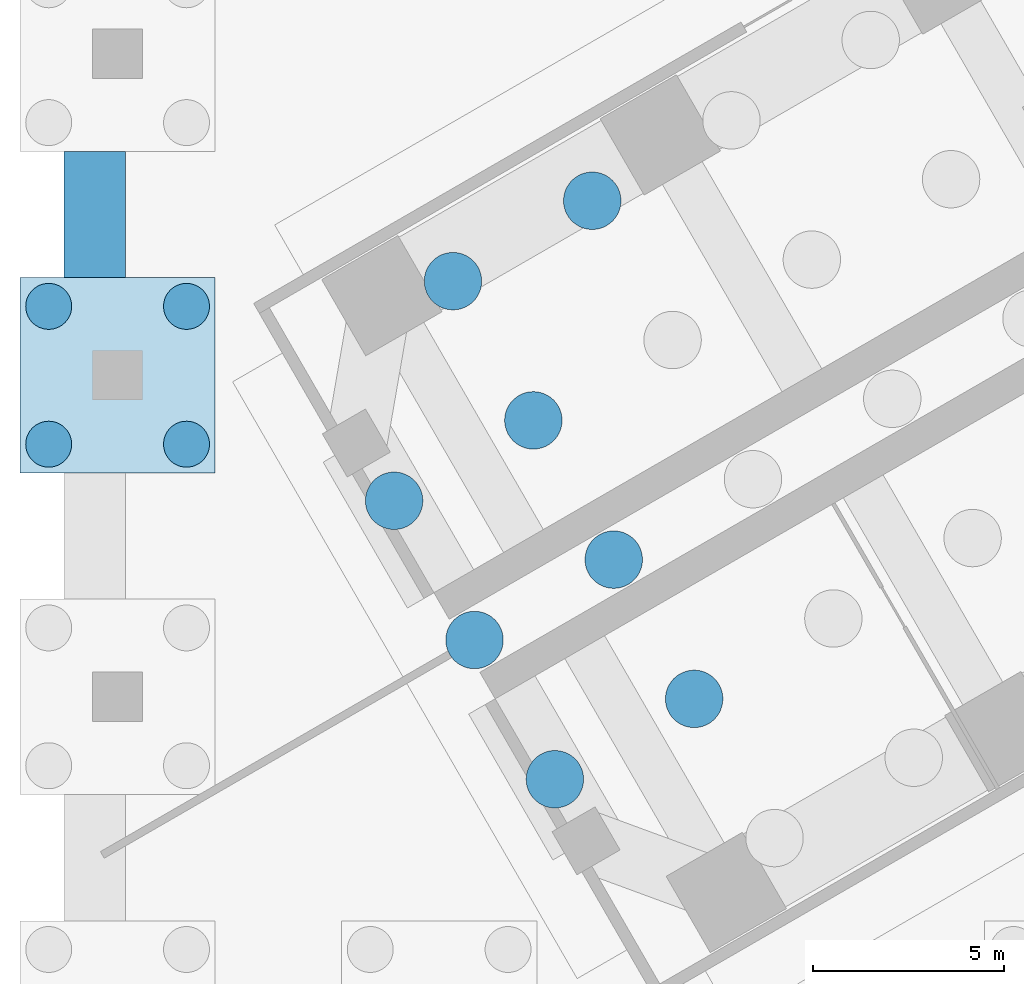
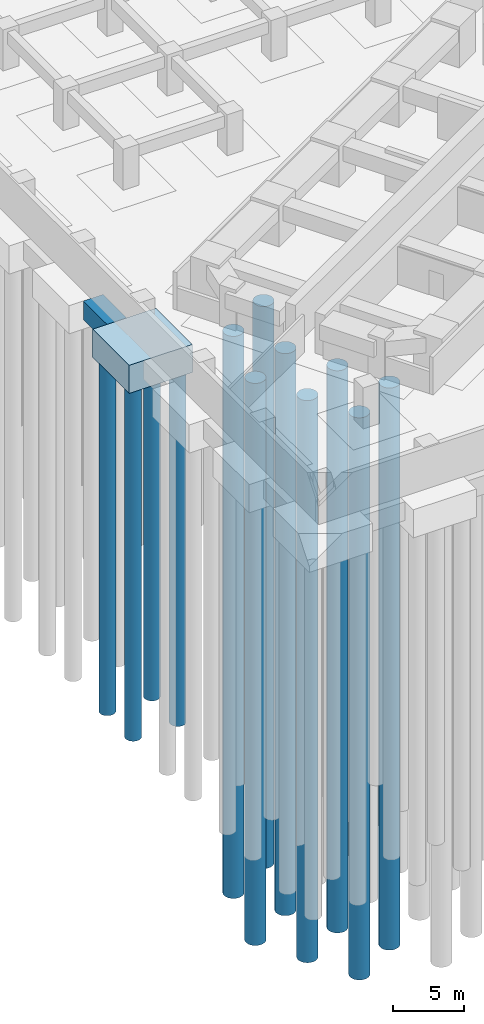
# One storey, part 4 of 73: 12 piles, 2 footings.
"""IFC4 building model written with IfcOpenShell, lengths in metres."""

from ifc_helpers import new_model, si_unit, direction, frame, origin, origin_2d, place, context, subcontext, project, spatial, polyline, circle, outline, extrude, material, material_profile, profile_set, type_object, element, save


model = new_model("IFC4")

# Units and contexts
model_context = context("Model", 3, precision=1e-05, world=origin(), true_north=direction((0.0, 1.0)))
body_context = subcontext(model_context, "Body", "Model", "MODEL_VIEW")
ifc_project = project(units=[si_unit("LENGTHUNIT", "METRE"), si_unit("AREAUNIT", "SQUARE_METRE"), si_unit("VOLUMEUNIT", "CUBIC_METRE"), si_unit("PLANEANGLEUNIT", "RADIAN"), si_unit("MASSUNIT", "GRAM", prefix="KILO")], contexts=[model_context])

# Site, building, storey
site_placement = place(None, origin())
site = spatial("IfcSite", under=ifc_project, at=site_placement, CompositionType="ELEMENT")
building_placement = place(site_placement, origin())
building = spatial("IfcBuilding", under=site, at=building_placement, Name="Impinga Residences", CompositionType="ELEMENT")
storey_placement = place(building_placement, frame((0.0, 0.0, -10.5)))
storey = spatial("IfcBuildingStorey", under=building, at=storey_placement, Name="B3", CompositionType="ELEMENT", Elevation=-10.5)

# Piles
ifc_material_1 = material(Name="Concrete C35/45", Category="concrete")
ifc_material_profile_1 = material_profile(ifc_material_1, circle(Radius=0.75, at=origin_2d()), Name="D1500")
ifc_profile_set_1 = profile_set([ifc_material_profile_1], Name="Concrete C35/45")
pile_type_1 = type_object("IfcPileType", Name="BP1 bored pile D1500", PredefinedType="BORED", material=ifc_profile_set_1)
pile_1_placement = place(storey_placement, frame((-38.976806640625, -27.35302734375, -4.0), z_axis=(0.0, 0.0, -1.0), x_axis=(1.0, 0.0, 0.0)))
element("IfcPile", 1, at=pile_1_placement, inside=storey, type_object=pile_type_1, Name="Raft pile BP1-003", PredefinedType="BORED", context=body_context, shape_type="SweptSolid", body=[
    extrude(outline(polyline([(0.75, 0.0), (0.746337890625, 0.073486328125), (0.735595703125, 0.146240234375), (0.7177734375, 0.2177734375), (0.69287109375, 0.287109375), (0.661376953125, 0.353515625), (0.62353515625, 0.416748046875), (0.579833984375, 0.475830078125), (0.5302734375, 0.5302734375), (0.475830078125, 0.579833984375), (0.416748046875, 0.62353515625), (0.353515625, 0.661376953125), (0.287109375, 0.69287109375), (0.2177734375, 0.7177734375), (0.146240234375, 0.735595703125), (0.073486328125, 0.746337890625), (0.0, 0.75), (-0.073486328125, 0.746337890625), (-0.146240234375, 0.735595703125), (-0.2177734375, 0.7177734375), (-0.287109375, 0.69287109375), (-0.353515625, 0.661376953125), (-0.416748046875, 0.62353515625), (-0.475830078125, 0.579833984375), (-0.5302734375, 0.5302734375), (-0.579833984375, 0.475830078125), (-0.62353515625, 0.416748046875), (-0.661376953125, 0.353515625), (-0.69287109375, 0.287109375), (-0.7177734375, 0.2177734375), (-0.735595703125, 0.146240234375), (-0.746337890625, 0.073486328125), (-0.75, 0.0), (-0.746337890625, -0.073486328125), (-0.735595703125, -0.146240234375), (-0.7177734375, -0.2177734375), (-0.69287109375, -0.287109375), (-0.661376953125, -0.353515625), (-0.62353515625, -0.416748046875), (-0.579833984375, -0.475830078125), (-0.5302734375, -0.5302734375), (-0.475830078125, -0.579833984375), (-0.416748046875, -0.62353515625), (-0.353515625, -0.661376953125), (-0.287109375, -0.69287109375), (-0.2177734375, -0.7177734375), (-0.146240234375, -0.735595703125), (-0.073486328125, -0.746337890625), (0.0, -0.75), (0.073486328125, -0.746337890625), (0.146240234375, -0.735595703125), (0.2177734375, -0.7177734375), (0.287109375, -0.69287109375), (0.353515625, -0.661376953125), (0.416748046875, -0.62353515625), (0.475830078125, -0.579833984375), (0.5302734375, -0.5302734375), (0.579833984375, -0.475830078125), (0.62353515625, -0.416748046875), (0.661376953125, -0.353515625), (0.69287109375, -0.287109375), (0.7177734375, -0.2177734375), (0.735595703125, -0.146240234375), (0.746337890625, -0.073486328125), (0.75, 0.0)])), origin(), (0.0, 0.0, 1.0), 48.0),
])
pile_2_placement = place(storey_placement, frame((-35.339599609375, -25.253173828125, -4.0), z_axis=(0.0, 0.0, -1.0), x_axis=(1.0, 0.0, 0.0)))
element("IfcPile", 2, at=pile_2_placement, inside=storey, type_object=pile_type_1, Name="Raft pile BP1-007", PredefinedType="BORED", context=body_context, shape_type="SweptSolid", body=[
    extrude(outline(polyline([(0.75, 0.0), (0.746337890625, 0.073486328125), (0.735595703125, 0.146240234375), (0.7177734375, 0.2177734375), (0.69287109375, 0.287109375), (0.661376953125, 0.353515625), (0.62353515625, 0.416748046875), (0.579833984375, 0.475830078125), (0.5302734375, 0.5302734375), (0.475830078125, 0.579833984375), (0.416748046875, 0.62353515625), (0.353515625, 0.661376953125), (0.287109375, 0.69287109375), (0.2177734375, 0.7177734375), (0.146240234375, 0.735595703125), (0.073486328125, 0.746337890625), (0.0, 0.75), (-0.073486328125, 0.746337890625), (-0.146240234375, 0.735595703125), (-0.2177734375, 0.7177734375), (-0.287109375, 0.69287109375), (-0.353515625, 0.661376953125), (-0.416748046875, 0.62353515625), (-0.475830078125, 0.579833984375), (-0.5302734375, 0.5302734375), (-0.579833984375, 0.475830078125), (-0.62353515625, 0.416748046875), (-0.661376953125, 0.353515625), (-0.69287109375, 0.287109375), (-0.7177734375, 0.2177734375), (-0.735595703125, 0.146240234375), (-0.746337890625, 0.073486328125), (-0.75, 0.0), (-0.746337890625, -0.073486328125), (-0.735595703125, -0.146240234375), (-0.7177734375, -0.2177734375), (-0.69287109375, -0.287109375), (-0.661376953125, -0.353515625), (-0.62353515625, -0.416748046875), (-0.579833984375, -0.475830078125), (-0.5302734375, -0.5302734375), (-0.475830078125, -0.579833984375), (-0.416748046875, -0.62353515625), (-0.353515625, -0.661376953125), (-0.287109375, -0.69287109375), (-0.2177734375, -0.7177734375), (-0.146240234375, -0.735595703125), (-0.073486328125, -0.746337890625), (0.0, -0.75), (0.073486328125, -0.746337890625), (0.146240234375, -0.735595703125), (0.2177734375, -0.7177734375), (0.287109375, -0.69287109375), (0.353515625, -0.661376953125), (0.416748046875, -0.62353515625), (0.475830078125, -0.579833984375), (0.5302734375, -0.5302734375), (0.579833984375, -0.475830078125), (0.62353515625, -0.416748046875), (0.661376953125, -0.353515625), (0.69287109375, -0.287109375), (0.7177734375, -0.2177734375), (0.735595703125, -0.146240234375), (0.746337890625, -0.073486328125), (0.75, 0.0)])), origin(), (0.0, 0.0, 1.0), 48.0),
])
pile_3_placement = place(storey_placement, frame((-41.076904296875, -23.7158203125, -4.0), z_axis=(0.0, 0.0, -1.0), x_axis=(1.0, 0.0, 0.0)))
element("IfcPile", 3, at=pile_3_placement, inside=storey, type_object=pile_type_1, Name="Raft pile BP1-011", PredefinedType="BORED", context=body_context, shape_type="SweptSolid", body=[
    extrude(outline(polyline([(0.75, 0.0), (0.746337890625, 0.073486328125), (0.735595703125, 0.146240234375), (0.7177734375, 0.2177734375), (0.69287109375, 0.287109375), (0.661376953125, 0.353515625), (0.62353515625, 0.416748046875), (0.579833984375, 0.475830078125), (0.5302734375, 0.5302734375), (0.475830078125, 0.579833984375), (0.416748046875, 0.62353515625), (0.353515625, 0.661376953125), (0.287109375, 0.69287109375), (0.2177734375, 0.7177734375), (0.146240234375, 0.735595703125), (0.073486328125, 0.746337890625), (0.0, 0.75), (-0.073486328125, 0.746337890625), (-0.146240234375, 0.735595703125), (-0.2177734375, 0.7177734375), (-0.287109375, 0.69287109375), (-0.353515625, 0.661376953125), (-0.416748046875, 0.62353515625), (-0.475830078125, 0.579833984375), (-0.5302734375, 0.5302734375), (-0.579833984375, 0.475830078125), (-0.62353515625, 0.416748046875), (-0.661376953125, 0.353515625), (-0.69287109375, 0.287109375), (-0.7177734375, 0.2177734375), (-0.735595703125, 0.146240234375), (-0.746337890625, 0.073486328125), (-0.75, 0.0), (-0.746337890625, -0.073486328125), (-0.735595703125, -0.146240234375), (-0.7177734375, -0.2177734375), (-0.69287109375, -0.287109375), (-0.661376953125, -0.353515625), (-0.62353515625, -0.416748046875), (-0.579833984375, -0.475830078125), (-0.5302734375, -0.5302734375), (-0.475830078125, -0.579833984375), (-0.416748046875, -0.62353515625), (-0.353515625, -0.661376953125), (-0.287109375, -0.69287109375), (-0.2177734375, -0.7177734375), (-0.146240234375, -0.735595703125), (-0.073486328125, -0.746337890625), (0.0, -0.75), (0.073486328125, -0.746337890625), (0.146240234375, -0.735595703125), (0.2177734375, -0.7177734375), (0.287109375, -0.69287109375), (0.353515625, -0.661376953125), (0.416748046875, -0.62353515625), (0.475830078125, -0.579833984375), (0.5302734375, -0.5302734375), (0.579833984375, -0.475830078125), (0.62353515625, -0.416748046875), (0.661376953125, -0.353515625), (0.69287109375, -0.287109375), (0.7177734375, -0.2177734375), (0.735595703125, -0.146240234375), (0.746337890625, -0.073486328125), (0.75, 0.0)])), origin(), (0.0, 0.0, 1.0), 48.0),
])
pile_4_placement = place(storey_placement, frame((-37.439697265625, -21.61572265625, -4.0), z_axis=(0.0, 0.0, -1.0), x_axis=(1.0, 0.0, 0.0)))
element("IfcPile", 4, at=pile_4_placement, inside=storey, type_object=pile_type_1, Name="Raft pile BP1-017", PredefinedType="BORED", context=body_context, shape_type="SweptSolid", body=[
    extrude(outline(polyline([(0.75, 0.0), (0.746337890625, 0.073486328125), (0.735595703125, 0.146240234375), (0.7177734375, 0.2177734375), (0.69287109375, 0.287109375), (0.661376953125, 0.353515625), (0.62353515625, 0.416748046875), (0.579833984375, 0.475830078125), (0.5302734375, 0.5302734375), (0.475830078125, 0.579833984375), (0.416748046875, 0.62353515625), (0.353515625, 0.661376953125), (0.287109375, 0.69287109375), (0.2177734375, 0.7177734375), (0.146240234375, 0.735595703125), (0.073486328125, 0.746337890625), (0.0, 0.75), (-0.073486328125, 0.746337890625), (-0.146240234375, 0.735595703125), (-0.2177734375, 0.7177734375), (-0.287109375, 0.69287109375), (-0.353515625, 0.661376953125), (-0.416748046875, 0.62353515625), (-0.475830078125, 0.579833984375), (-0.5302734375, 0.5302734375), (-0.579833984375, 0.475830078125), (-0.62353515625, 0.416748046875), (-0.661376953125, 0.353515625), (-0.69287109375, 0.287109375), (-0.7177734375, 0.2177734375), (-0.735595703125, 0.146240234375), (-0.746337890625, 0.073486328125), (-0.75, 0.0), (-0.746337890625, -0.073486328125), (-0.735595703125, -0.146240234375), (-0.7177734375, -0.2177734375), (-0.69287109375, -0.287109375), (-0.661376953125, -0.353515625), (-0.62353515625, -0.416748046875), (-0.579833984375, -0.475830078125), (-0.5302734375, -0.5302734375), (-0.475830078125, -0.579833984375), (-0.416748046875, -0.62353515625), (-0.353515625, -0.661376953125), (-0.287109375, -0.69287109375), (-0.2177734375, -0.7177734375), (-0.146240234375, -0.735595703125), (-0.073486328125, -0.746337890625), (0.0, -0.75), (0.073486328125, -0.746337890625), (0.146240234375, -0.735595703125), (0.2177734375, -0.7177734375), (0.287109375, -0.69287109375), (0.353515625, -0.661376953125), (0.416748046875, -0.62353515625), (0.475830078125, -0.579833984375), (0.5302734375, -0.5302734375), (0.579833984375, -0.475830078125), (0.62353515625, -0.416748046875), (0.661376953125, -0.353515625), (0.69287109375, -0.287109375), (0.7177734375, -0.2177734375), (0.735595703125, -0.146240234375), (0.746337890625, -0.073486328125), (0.75, 0.0)])), origin(), (0.0, 0.0, 1.0), 48.0),
])
pile_5_placement = place(storey_placement, frame((-43.177001953125, -20.078369140625, -4.0), z_axis=(0.0, 0.0, -1.0), x_axis=(1.0, 0.0, 0.0)))
element("IfcPile", 5, at=pile_5_placement, inside=storey, type_object=pile_type_1, Name="Raft pile BP1-023", PredefinedType="BORED", context=body_context, shape_type="SweptSolid", body=[
    extrude(outline(polyline([(0.75, 0.0), (0.746337890625, 0.073486328125), (0.735595703125, 0.146240234375), (0.7177734375, 0.2177734375), (0.69287109375, 0.287109375), (0.661376953125, 0.353515625), (0.62353515625, 0.416748046875), (0.579833984375, 0.475830078125), (0.5302734375, 0.5302734375), (0.475830078125, 0.579833984375), (0.416748046875, 0.62353515625), (0.353515625, 0.661376953125), (0.287109375, 0.69287109375), (0.2177734375, 0.7177734375), (0.146240234375, 0.735595703125), (0.073486328125, 0.746337890625), (0.0, 0.75), (-0.073486328125, 0.746337890625), (-0.146240234375, 0.735595703125), (-0.2177734375, 0.7177734375), (-0.287109375, 0.69287109375), (-0.353515625, 0.661376953125), (-0.416748046875, 0.62353515625), (-0.475830078125, 0.579833984375), (-0.5302734375, 0.5302734375), (-0.579833984375, 0.475830078125), (-0.62353515625, 0.416748046875), (-0.661376953125, 0.353515625), (-0.69287109375, 0.287109375), (-0.7177734375, 0.2177734375), (-0.735595703125, 0.146240234375), (-0.746337890625, 0.073486328125), (-0.75, 0.0), (-0.746337890625, -0.073486328125), (-0.735595703125, -0.146240234375), (-0.7177734375, -0.2177734375), (-0.69287109375, -0.287109375), (-0.661376953125, -0.353515625), (-0.62353515625, -0.416748046875), (-0.579833984375, -0.475830078125), (-0.5302734375, -0.5302734375), (-0.475830078125, -0.579833984375), (-0.416748046875, -0.62353515625), (-0.353515625, -0.661376953125), (-0.287109375, -0.69287109375), (-0.2177734375, -0.7177734375), (-0.146240234375, -0.735595703125), (-0.073486328125, -0.746337890625), (0.0, -0.75), (0.073486328125, -0.746337890625), (0.146240234375, -0.735595703125), (0.2177734375, -0.7177734375), (0.287109375, -0.69287109375), (0.353515625, -0.661376953125), (0.416748046875, -0.62353515625), (0.475830078125, -0.579833984375), (0.5302734375, -0.5302734375), (0.579833984375, -0.475830078125), (0.62353515625, -0.416748046875), (0.661376953125, -0.353515625), (0.69287109375, -0.287109375), (0.7177734375, -0.2177734375), (0.735595703125, -0.146240234375), (0.746337890625, -0.073486328125), (0.75, 0.0)])), origin(), (0.0, 0.0, 1.0), 48.0),
])
pile_6_placement = place(storey_placement, frame((-39.53955078125, -17.978515625, -4.0), z_axis=(0.0, 0.0, -1.0), x_axis=(1.0, 0.0, 0.0)))
element("IfcPile", 6, at=pile_6_placement, inside=storey, type_object=pile_type_1, Name="Raft pile BP1-031", PredefinedType="BORED", context=body_context, shape_type="SweptSolid", body=[
    extrude(outline(polyline([(0.75, 0.0), (0.746337890625, 0.073486328125), (0.735595703125, 0.146240234375), (0.7177734375, 0.2177734375), (0.69287109375, 0.287109375), (0.661376953125, 0.353515625), (0.62353515625, 0.416748046875), (0.579833984375, 0.475830078125), (0.5302734375, 0.5302734375), (0.475830078125, 0.579833984375), (0.416748046875, 0.62353515625), (0.353515625, 0.661376953125), (0.287109375, 0.69287109375), (0.2177734375, 0.7177734375), (0.146240234375, 0.735595703125), (0.073486328125, 0.746337890625), (0.0, 0.75), (-0.073486328125, 0.746337890625), (-0.146240234375, 0.735595703125), (-0.2177734375, 0.7177734375), (-0.287109375, 0.69287109375), (-0.353515625, 0.661376953125), (-0.416748046875, 0.62353515625), (-0.475830078125, 0.579833984375), (-0.5302734375, 0.5302734375), (-0.579833984375, 0.475830078125), (-0.62353515625, 0.416748046875), (-0.661376953125, 0.353515625), (-0.69287109375, 0.287109375), (-0.7177734375, 0.2177734375), (-0.735595703125, 0.146240234375), (-0.746337890625, 0.073486328125), (-0.75, 0.0), (-0.746337890625, -0.073486328125), (-0.735595703125, -0.146240234375), (-0.7177734375, -0.2177734375), (-0.69287109375, -0.287109375), (-0.661376953125, -0.353515625), (-0.62353515625, -0.416748046875), (-0.579833984375, -0.475830078125), (-0.5302734375, -0.5302734375), (-0.475830078125, -0.579833984375), (-0.416748046875, -0.62353515625), (-0.353515625, -0.661376953125), (-0.287109375, -0.69287109375), (-0.2177734375, -0.7177734375), (-0.146240234375, -0.735595703125), (-0.073486328125, -0.746337890625), (0.0, -0.75), (0.073486328125, -0.746337890625), (0.146240234375, -0.735595703125), (0.2177734375, -0.7177734375), (0.287109375, -0.69287109375), (0.353515625, -0.661376953125), (0.416748046875, -0.62353515625), (0.475830078125, -0.579833984375), (0.5302734375, -0.5302734375), (0.579833984375, -0.475830078125), (0.62353515625, -0.416748046875), (0.661376953125, -0.353515625), (0.69287109375, -0.287109375), (0.7177734375, -0.2177734375), (0.735595703125, -0.146240234375), (0.746337890625, -0.073486328125), (0.75, 0.0)])), origin(), (0.0, 0.0, 1.0), 48.0),
])
pile_7_placement = place(storey_placement, frame((-41.6396484375, -14.341064453125, -4.0), z_axis=(0.0, 0.0, -1.0), x_axis=(1.0, 0.0, 0.0)))
element("IfcPile", 7, at=pile_7_placement, inside=storey, type_object=pile_type_1, Name="Raft pile BP1-045", PredefinedType="BORED", context=body_context, shape_type="SweptSolid", body=[
    extrude(outline(polyline([(0.75, 0.0), (0.746337890625, 0.073486328125), (0.735595703125, 0.146240234375), (0.7177734375, 0.2177734375), (0.69287109375, 0.287109375), (0.661376953125, 0.353515625), (0.62353515625, 0.416748046875), (0.579833984375, 0.475830078125), (0.5302734375, 0.5302734375), (0.475830078125, 0.579833984375), (0.416748046875, 0.62353515625), (0.353515625, 0.661376953125), (0.287109375, 0.69287109375), (0.2177734375, 0.7177734375), (0.146240234375, 0.735595703125), (0.073486328125, 0.746337890625), (0.0, 0.75), (-0.073486328125, 0.746337890625), (-0.146240234375, 0.735595703125), (-0.2177734375, 0.7177734375), (-0.287109375, 0.69287109375), (-0.353515625, 0.661376953125), (-0.416748046875, 0.62353515625), (-0.475830078125, 0.579833984375), (-0.5302734375, 0.5302734375), (-0.579833984375, 0.475830078125), (-0.62353515625, 0.416748046875), (-0.661376953125, 0.353515625), (-0.69287109375, 0.287109375), (-0.7177734375, 0.2177734375), (-0.735595703125, 0.146240234375), (-0.746337890625, 0.073486328125), (-0.75, 0.0), (-0.746337890625, -0.073486328125), (-0.735595703125, -0.146240234375), (-0.7177734375, -0.2177734375), (-0.69287109375, -0.287109375), (-0.661376953125, -0.353515625), (-0.62353515625, -0.416748046875), (-0.579833984375, -0.475830078125), (-0.5302734375, -0.5302734375), (-0.475830078125, -0.579833984375), (-0.416748046875, -0.62353515625), (-0.353515625, -0.661376953125), (-0.287109375, -0.69287109375), (-0.2177734375, -0.7177734375), (-0.146240234375, -0.735595703125), (-0.073486328125, -0.746337890625), (0.0, -0.75), (0.073486328125, -0.746337890625), (0.146240234375, -0.735595703125), (0.2177734375, -0.7177734375), (0.287109375, -0.69287109375), (0.353515625, -0.661376953125), (0.416748046875, -0.62353515625), (0.475830078125, -0.579833984375), (0.5302734375, -0.5302734375), (0.579833984375, -0.475830078125), (0.62353515625, -0.416748046875), (0.661376953125, -0.353515625), (0.69287109375, -0.287109375), (0.7177734375, -0.2177734375), (0.735595703125, -0.146240234375), (0.746337890625, -0.073486328125), (0.75, 0.0)])), origin(), (0.0, 0.0, 1.0), 48.0),
])
pile_8_placement = place(storey_placement, frame((-38.002197265625, -12.2412109375, -4.0), z_axis=(0.0, 0.0, -1.0), x_axis=(1.0, 0.0, 0.0)))
element("IfcPile", 8, at=pile_8_placement, inside=storey, type_object=pile_type_1, Name="Raft pile BP1-053", PredefinedType="BORED", context=body_context, shape_type="SweptSolid", body=[
    extrude(outline(polyline([(0.75, 0.0), (0.746337890625, 0.073486328125), (0.735595703125, 0.146240234375), (0.7177734375, 0.2177734375), (0.69287109375, 0.287109375), (0.661376953125, 0.353515625), (0.62353515625, 0.416748046875), (0.579833984375, 0.475830078125), (0.5302734375, 0.5302734375), (0.475830078125, 0.579833984375), (0.416748046875, 0.62353515625), (0.353515625, 0.661376953125), (0.287109375, 0.69287109375), (0.2177734375, 0.7177734375), (0.146240234375, 0.735595703125), (0.073486328125, 0.746337890625), (0.0, 0.75), (-0.073486328125, 0.746337890625), (-0.146240234375, 0.735595703125), (-0.2177734375, 0.7177734375), (-0.287109375, 0.69287109375), (-0.353515625, 0.661376953125), (-0.416748046875, 0.62353515625), (-0.475830078125, 0.579833984375), (-0.5302734375, 0.5302734375), (-0.579833984375, 0.475830078125), (-0.62353515625, 0.416748046875), (-0.661376953125, 0.353515625), (-0.69287109375, 0.287109375), (-0.7177734375, 0.2177734375), (-0.735595703125, 0.146240234375), (-0.746337890625, 0.073486328125), (-0.75, 0.0), (-0.746337890625, -0.073486328125), (-0.735595703125, -0.146240234375), (-0.7177734375, -0.2177734375), (-0.69287109375, -0.287109375), (-0.661376953125, -0.353515625), (-0.62353515625, -0.416748046875), (-0.579833984375, -0.475830078125), (-0.5302734375, -0.5302734375), (-0.475830078125, -0.579833984375), (-0.416748046875, -0.62353515625), (-0.353515625, -0.661376953125), (-0.287109375, -0.69287109375), (-0.2177734375, -0.7177734375), (-0.146240234375, -0.735595703125), (-0.073486328125, -0.746337890625), (0.0, -0.75), (0.073486328125, -0.746337890625), (0.146240234375, -0.735595703125), (0.2177734375, -0.7177734375), (0.287109375, -0.69287109375), (0.353515625, -0.661376953125), (0.416748046875, -0.62353515625), (0.475830078125, -0.579833984375), (0.5302734375, -0.5302734375), (0.579833984375, -0.475830078125), (0.62353515625, -0.416748046875), (0.661376953125, -0.353515625), (0.69287109375, -0.287109375), (0.7177734375, -0.2177734375), (0.735595703125, -0.146240234375), (0.746337890625, -0.073486328125), (0.75, 0.0)])), origin(), (0.0, 0.0, 1.0), 48.0),
])
ifc_material_profile_2 = material_profile(ifc_material_1, circle(Radius=0.60009765625, at=origin_2d()), Name="D1200")
ifc_profile_set_2 = profile_set([ifc_material_profile_2], Name="Concrete C35/45")
pile_type_2 = type_object("IfcPileType", Name="BP2 bored pile D1200", PredefinedType="BORED", material=ifc_profile_set_2)
pile_9_placement = place(storey_placement, frame((-52.199951171875, -18.60009765625, -2.39990234375), z_axis=(0.0, 0.0, -1.0), x_axis=(1.0, 0.0, 0.0)))
element("IfcPile", 9, at=pile_9_placement, inside=storey, type_object=pile_type_2, Name="Cap pile BP2 1/D-1", PredefinedType="BORED", context=body_context, shape_type="SweptSolid", body=[
    extrude(outline(polyline([(0.60009765625, 0.0), (0.59716796875, 0.058837890625), (0.58837890625, 0.116943359375), (0.57421875, 0.174072265625), (0.554443359375, 0.2294921875), (0.529052734375, 0.282958984375), (0.498779296875, 0.333251953125), (0.4638671875, 0.380615234375), (0.42431640625, 0.42431640625), (0.380615234375, 0.4638671875), (0.333251953125, 0.498779296875), (0.282958984375, 0.529052734375), (0.2294921875, 0.554443359375), (0.174072265625, 0.57421875), (0.116943359375, 0.58837890625), (0.058837890625, 0.59716796875), (0.0, 0.60009765625), (-0.058837890625, 0.59716796875), (-0.116943359375, 0.58837890625), (-0.174072265625, 0.57421875), (-0.2294921875, 0.554443359375), (-0.282958984375, 0.529052734375), (-0.333251953125, 0.498779296875), (-0.380615234375, 0.4638671875), (-0.42431640625, 0.42431640625), (-0.4638671875, 0.380615234375), (-0.498779296875, 0.333251953125), (-0.529052734375, 0.282958984375), (-0.554443359375, 0.2294921875), (-0.57421875, 0.174072265625), (-0.58837890625, 0.116943359375), (-0.59716796875, 0.058837890625), (-0.60009765625, 0.0), (-0.59716796875, -0.058837890625), (-0.58837890625, -0.116943359375), (-0.57421875, -0.174072265625), (-0.554443359375, -0.2294921875), (-0.529052734375, -0.282958984375), (-0.498779296875, -0.333251953125), (-0.4638671875, -0.380615234375), (-0.42431640625, -0.42431640625), (-0.380615234375, -0.4638671875), (-0.333251953125, -0.498779296875), (-0.282958984375, -0.529052734375), (-0.2294921875, -0.554443359375), (-0.174072265625, -0.57421875), (-0.116943359375, -0.58837890625), (-0.058837890625, -0.59716796875), (0.0, -0.60009765625), (0.058837890625, -0.59716796875), (0.116943359375, -0.58837890625), (0.174072265625, -0.57421875), (0.2294921875, -0.554443359375), (0.282958984375, -0.529052734375), (0.333251953125, -0.498779296875), (0.380615234375, -0.4638671875), (0.42431640625, -0.42431640625), (0.4638671875, -0.380615234375), (0.498779296875, -0.333251953125), (0.529052734375, -0.282958984375), (0.554443359375, -0.2294921875), (0.57421875, -0.174072265625), (0.58837890625, -0.116943359375), (0.59716796875, -0.058837890625), (0.60009765625, 0.0)])), origin(), (0.0, 0.0, 1.0), 30.0),
])
pile_10_placement = place(storey_placement, frame((-48.60009765625, -18.60009765625, -2.39990234375), z_axis=(0.0, 0.0, -1.0), x_axis=(1.0, 0.0, 0.0)))
element("IfcPile", 10, at=pile_10_placement, inside=storey, type_object=pile_type_2, Name="Cap pile BP2 1/D-2", PredefinedType="BORED", context=body_context, shape_type="SweptSolid", body=[
    extrude(outline(polyline([(0.60009765625, 0.0), (0.59716796875, 0.058837890625), (0.58837890625, 0.116943359375), (0.57421875, 0.174072265625), (0.554443359375, 0.2294921875), (0.529052734375, 0.282958984375), (0.498779296875, 0.333251953125), (0.4638671875, 0.380615234375), (0.42431640625, 0.42431640625), (0.380615234375, 0.4638671875), (0.333251953125, 0.498779296875), (0.282958984375, 0.529052734375), (0.2294921875, 0.554443359375), (0.174072265625, 0.57421875), (0.116943359375, 0.58837890625), (0.058837890625, 0.59716796875), (0.0, 0.60009765625), (-0.058837890625, 0.59716796875), (-0.116943359375, 0.58837890625), (-0.174072265625, 0.57421875), (-0.2294921875, 0.554443359375), (-0.282958984375, 0.529052734375), (-0.333251953125, 0.498779296875), (-0.380615234375, 0.4638671875), (-0.42431640625, 0.42431640625), (-0.4638671875, 0.380615234375), (-0.498779296875, 0.333251953125), (-0.529052734375, 0.282958984375), (-0.554443359375, 0.2294921875), (-0.57421875, 0.174072265625), (-0.58837890625, 0.116943359375), (-0.59716796875, 0.058837890625), (-0.60009765625, 0.0), (-0.59716796875, -0.058837890625), (-0.58837890625, -0.116943359375), (-0.57421875, -0.174072265625), (-0.554443359375, -0.2294921875), (-0.529052734375, -0.282958984375), (-0.498779296875, -0.333251953125), (-0.4638671875, -0.380615234375), (-0.42431640625, -0.42431640625), (-0.380615234375, -0.4638671875), (-0.333251953125, -0.498779296875), (-0.282958984375, -0.529052734375), (-0.2294921875, -0.554443359375), (-0.174072265625, -0.57421875), (-0.116943359375, -0.58837890625), (-0.058837890625, -0.59716796875), (0.0, -0.60009765625), (0.058837890625, -0.59716796875), (0.116943359375, -0.58837890625), (0.174072265625, -0.57421875), (0.2294921875, -0.554443359375), (0.282958984375, -0.529052734375), (0.333251953125, -0.498779296875), (0.380615234375, -0.4638671875), (0.42431640625, -0.42431640625), (0.4638671875, -0.380615234375), (0.498779296875, -0.333251953125), (0.529052734375, -0.282958984375), (0.554443359375, -0.2294921875), (0.57421875, -0.174072265625), (0.58837890625, -0.116943359375), (0.59716796875, -0.058837890625), (0.60009765625, 0.0)])), origin(), (0.0, 0.0, 1.0), 30.0),
])
pile_11_placement = place(storey_placement, frame((-48.60009765625, -15.0, -2.39990234375), z_axis=(0.0, 0.0, -1.0), x_axis=(1.0, 0.0, 0.0)))
element("IfcPile", 11, at=pile_11_placement, inside=storey, type_object=pile_type_2, Name="Cap pile BP2 1/D-3", PredefinedType="BORED", context=body_context, shape_type="SweptSolid", body=[
    extrude(outline(polyline([(0.60009765625, 0.0), (0.59716796875, 0.058837890625), (0.58837890625, 0.116943359375), (0.57421875, 0.174072265625), (0.554443359375, 0.2294921875), (0.529052734375, 0.282958984375), (0.498779296875, 0.333251953125), (0.4638671875, 0.380615234375), (0.42431640625, 0.42431640625), (0.380615234375, 0.4638671875), (0.333251953125, 0.498779296875), (0.282958984375, 0.529052734375), (0.2294921875, 0.554443359375), (0.174072265625, 0.57421875), (0.116943359375, 0.58837890625), (0.058837890625, 0.59716796875), (0.0, 0.60009765625), (-0.058837890625, 0.59716796875), (-0.116943359375, 0.58837890625), (-0.174072265625, 0.57421875), (-0.2294921875, 0.554443359375), (-0.282958984375, 0.529052734375), (-0.333251953125, 0.498779296875), (-0.380615234375, 0.4638671875), (-0.42431640625, 0.42431640625), (-0.4638671875, 0.380615234375), (-0.498779296875, 0.333251953125), (-0.529052734375, 0.282958984375), (-0.554443359375, 0.2294921875), (-0.57421875, 0.174072265625), (-0.58837890625, 0.116943359375), (-0.59716796875, 0.058837890625), (-0.60009765625, 0.0), (-0.59716796875, -0.058837890625), (-0.58837890625, -0.116943359375), (-0.57421875, -0.174072265625), (-0.554443359375, -0.2294921875), (-0.529052734375, -0.282958984375), (-0.498779296875, -0.333251953125), (-0.4638671875, -0.380615234375), (-0.42431640625, -0.42431640625), (-0.380615234375, -0.4638671875), (-0.333251953125, -0.498779296875), (-0.282958984375, -0.529052734375), (-0.2294921875, -0.554443359375), (-0.174072265625, -0.57421875), (-0.116943359375, -0.58837890625), (-0.058837890625, -0.59716796875), (0.0, -0.60009765625), (0.058837890625, -0.59716796875), (0.116943359375, -0.58837890625), (0.174072265625, -0.57421875), (0.2294921875, -0.554443359375), (0.282958984375, -0.529052734375), (0.333251953125, -0.498779296875), (0.380615234375, -0.4638671875), (0.42431640625, -0.42431640625), (0.4638671875, -0.380615234375), (0.498779296875, -0.333251953125), (0.529052734375, -0.282958984375), (0.554443359375, -0.2294921875), (0.57421875, -0.174072265625), (0.58837890625, -0.116943359375), (0.59716796875, -0.058837890625), (0.60009765625, 0.0)])), origin(), (0.0, 0.0, 1.0), 30.0),
])
pile_12_placement = place(storey_placement, frame((-52.199951171875, -15.0, -2.39990234375), z_axis=(0.0, 0.0, -1.0), x_axis=(1.0, 0.0, 0.0)))
element("IfcPile", 12, at=pile_12_placement, inside=storey, type_object=pile_type_2, Name="Cap pile BP2 1/D-4", PredefinedType="BORED", context=body_context, shape_type="SweptSolid", body=[
    extrude(outline(polyline([(0.60009765625, 0.0), (0.59716796875, 0.058837890625), (0.58837890625, 0.116943359375), (0.57421875, 0.174072265625), (0.554443359375, 0.2294921875), (0.529052734375, 0.282958984375), (0.498779296875, 0.333251953125), (0.4638671875, 0.380615234375), (0.42431640625, 0.42431640625), (0.380615234375, 0.4638671875), (0.333251953125, 0.498779296875), (0.282958984375, 0.529052734375), (0.2294921875, 0.554443359375), (0.174072265625, 0.57421875), (0.116943359375, 0.58837890625), (0.058837890625, 0.59716796875), (0.0, 0.60009765625), (-0.058837890625, 0.59716796875), (-0.116943359375, 0.58837890625), (-0.174072265625, 0.57421875), (-0.2294921875, 0.554443359375), (-0.282958984375, 0.529052734375), (-0.333251953125, 0.498779296875), (-0.380615234375, 0.4638671875), (-0.42431640625, 0.42431640625), (-0.4638671875, 0.380615234375), (-0.498779296875, 0.333251953125), (-0.529052734375, 0.282958984375), (-0.554443359375, 0.2294921875), (-0.57421875, 0.174072265625), (-0.58837890625, 0.116943359375), (-0.59716796875, 0.058837890625), (-0.60009765625, 0.0), (-0.59716796875, -0.058837890625), (-0.58837890625, -0.116943359375), (-0.57421875, -0.174072265625), (-0.554443359375, -0.2294921875), (-0.529052734375, -0.282958984375), (-0.498779296875, -0.333251953125), (-0.4638671875, -0.380615234375), (-0.42431640625, -0.42431640625), (-0.380615234375, -0.4638671875), (-0.333251953125, -0.498779296875), (-0.282958984375, -0.529052734375), (-0.2294921875, -0.554443359375), (-0.174072265625, -0.57421875), (-0.116943359375, -0.58837890625), (-0.058837890625, -0.59716796875), (0.0, -0.60009765625), (0.058837890625, -0.59716796875), (0.116943359375, -0.58837890625), (0.174072265625, -0.57421875), (0.2294921875, -0.554443359375), (0.282958984375, -0.529052734375), (0.333251953125, -0.498779296875), (0.380615234375, -0.4638671875), (0.42431640625, -0.42431640625), (0.4638671875, -0.380615234375), (0.498779296875, -0.333251953125), (0.529052734375, -0.282958984375), (0.554443359375, -0.2294921875), (0.57421875, -0.174072265625), (0.58837890625, -0.116943359375), (0.59716796875, -0.058837890625), (0.60009765625, 0.0)])), origin(), (0.0, 0.0, 1.0), 30.0),
])

# Footings
ifc_material_2 = material(Name="Concrete C45/55", Category="concrete")
footing_type_1 = type_object("IfcFootingType", Name="PC4 four-pile cap 5100 square 2400 deep", PredefinedType="PILE_CAP", material=ifc_material_2)
footing_1_placement = place(storey_placement, frame((0.0, 0.0, -2.39990234375)))
element("IfcFooting", 13, at=footing_1_placement, inside=storey, type_object=footing_type_1, Name="Pile cap PC4 1/D", PredefinedType="PILE_CAP", context=body_context, shape_type="SweptSolid", body=[
    extrude(outline(polyline([(-47.85009765625, -19.35009765625), (-47.85009765625, -14.25), (-52.949951171875, -14.25), (-52.949951171875, -19.35009765625), (-47.85009765625, -19.35009765625)])), origin(), (0.0, 0.0, 1.0), 2.39990234375),
])
footing_type_2 = type_object("IfcFootingType", Name="SF1 strip footing 1600 wide 1600 deep", PredefinedType="STRIP_FOOTING", material=ifc_material_2)
footing_2_placement = place(storey_placement, frame((0.0, 0.0, -1.60009765625)))
element("IfcFooting", 14, at=footing_2_placement, inside=storey, type_object=footing_type_2, Name="Strip footing SF1 W 8", PredefinedType="STRIP_FOOTING", context=body_context, shape_type="SweptSolid", body=[
    extrude(outline(polyline([(-50.199951171875, -14.25), (-51.800048828125, -14.25), (-51.800048828125, -10.949951171875), (-50.199951171875, -10.949951171875), (-50.199951171875, -14.25)])), origin(), (0.0, 0.0, 1.0), 1.60009765625),
])

save(model, "model.ifc")
